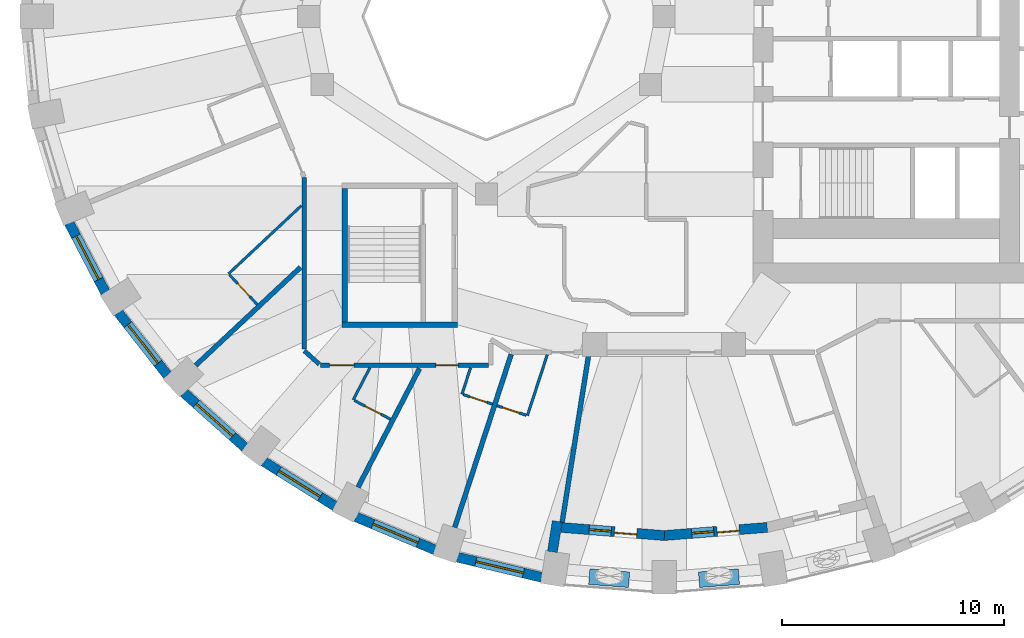
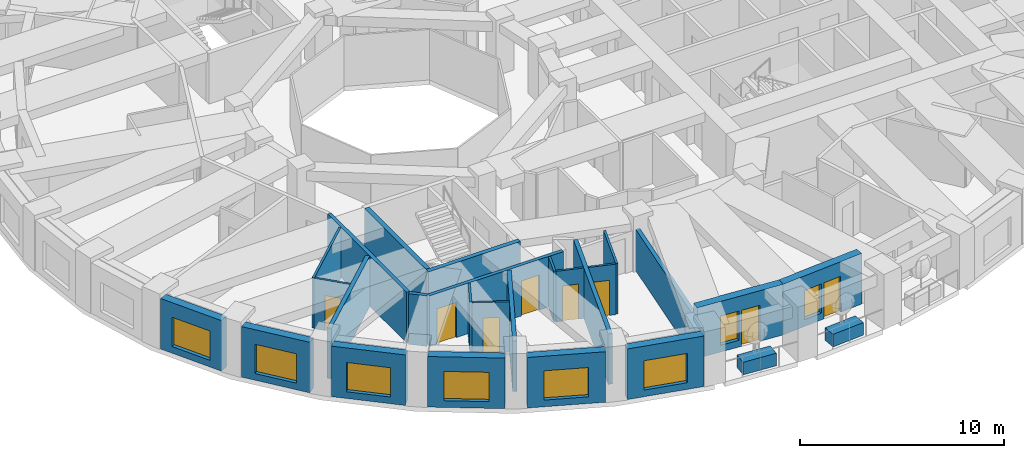
# One storey, part 3 of 13: 28 walls, 8 doors, 8 windows, 16 openings.
"""IFC4 building model written with IfcOpenShell, lengths in metres."""

import ifcopenshell
import ifcopenshell.guid

model = None  # the IFC model being written
_history = None  # IfcOwnerHistory: only IFC2X3 demands one
_inside = {}  # id of a spatial element -> (the spatial element, [elements in it])
_under = {}  # id of a project, library or spatial element -> (it, [spatial elements below it])
_declared = {}  # id of a project -> (the project, [libraries it declares])
_typed = {}  # id of a type object -> (the type object, [elements of that type])
_made_of = {}  # id of a material, layer set ... -> (it, [elements and type objects made of it])


def new_model(schema):
    """Start an empty IFC model of exactly this schema.

    Asked for "IFC4X3", IfcOpenShell would pick the latest addendum, in which some entities
    have other attributes; the version numbers below select the first issue.
    IFC2X3 requires an IfcOwnerHistory on every rooted entity: one is made here for all.
    """
    global model, _history
    if schema == "IFC4X3":
        model = ifcopenshell.file(schema_version=(4, 3, 0, 0))
    else:
        model = ifcopenshell.file(schema=schema)
    _inside.clear()
    _under.clear()
    _declared.clear()
    _typed.clear()
    _made_of.clear()
    _history = None
    if model.schema == "IFC2X3":
        org = make("IfcOrganization", Name="unknown")
        user = make(
            "IfcPersonAndOrganization",
            ThePerson=make("IfcPerson", FamilyName="unknown"),
            TheOrganization=org,
        )
        app = make(
            "IfcApplication",
            ApplicationDeveloper=org,
            Version="unknown",
            ApplicationFullName="unknown",
            ApplicationIdentifier="unknown",
        )
        _history = make(
            "IfcOwnerHistory",
            OwningUser=user,
            OwningApplication=app,
            ChangeAction="ADDED",
            CreationDate=0,
        )
    return model


def make(cls, **values):
    """One entity of the class cls with the attributes given. An attribute that is None is left unset."""
    return model.create_entity(
        cls, **{name: value for name, value in values.items() if value is not None}
    )


def rooted(cls, **values):
    """An entity with a GlobalId (a new one), such as an element, a storey or a relation."""
    return make(cls, GlobalId=ifcopenshell.guid.new(), OwnerHistory=_history, **values)


def si_unit(unit_type, name, prefix=None):
    """IfcSIUnit, for example si_unit("LENGTHUNIT", "METRE", prefix="MILLI")."""
    return make("IfcSIUnit", UnitType=unit_type, Prefix=prefix, Name=name)


def assignment(units):
    """IfcUnitAssignment: the units of a project."""
    return None if units is None else make("IfcUnitAssignment", Units=units)


def point(xyz):
    """IfcCartesianPoint."""
    return None if xyz is None else make("IfcCartesianPoint", Coordinates=xyz)


def direction(xyz):
    """IfcDirection."""
    return None if xyz is None else make("IfcDirection", DirectionRatios=xyz)


def frame(location, z_axis=None, x_axis=None):
    """IfcAxis2Placement3D, a coordinate frame: its origin and axes. An axis left out is left unset."""
    return make(
        "IfcAxis2Placement3D",
        Location=point(location),
        Axis=direction(z_axis),
        RefDirection=direction(x_axis),
    )


def frame_2d(location, x_axis=None):
    """IfcAxis2Placement2D, a coordinate frame in the plane: its origin and x axis."""
    return make(
        "IfcAxis2Placement2D", Location=point(location), RefDirection=direction(x_axis)
    )


def origin():
    """The frame at (0, 0, 0) with its axes left unset."""
    return frame((0.0, 0.0, 0.0))


def place(relative_to, where):
    """IfcLocalPlacement: puts the frame where relative to a parent placement (None: the world)."""
    return make(
        "IfcLocalPlacement", PlacementRelTo=relative_to, RelativePlacement=where
    )


def context(
    kind, dimensions, precision=None, world=None, true_north=None, identifier=None
):
    """IfcGeometricRepresentationContext, for example the 3D "Model" context."""
    return make(
        "IfcGeometricRepresentationContext",
        ContextIdentifier=identifier,
        ContextType=kind,
        CoordinateSpaceDimension=dimensions,
        Precision=precision,
        WorldCoordinateSystem=world,
        TrueNorth=true_north,
    )


def subcontext(parent, identifier, kind, view, scale=None):
    """IfcGeometricRepresentationSubContext, for example "Body" below "Model"."""
    return make(
        "IfcGeometricRepresentationSubContext",
        ContextIdentifier=identifier,
        ContextType=kind,
        ParentContext=parent,
        TargetScale=scale,
        TargetView=view,
    )


def project(units=None, contexts=None):
    """IfcProject with its units and contexts."""
    return rooted(
        "IfcProject",
        Name="project",
        RepresentationContexts=contexts,
        UnitsInContext=assignment(units),
    )


def spatial(cls, under=None, at=None, **own):
    """A site, building, storey or space (cls), placed at a placement, below another one or the project."""
    s = rooted(cls, ObjectPlacement=at, **own)
    if under is not None:
        _under.setdefault(under.id(), (under, []))[1].append(s)
    return s


def profile(cls, at=None, kind="AREA", **sizes):
    """A parametric profile (cls). Its sizes go by their IFC names, for example OverallWidth=200.0."""
    return make(cls, ProfileType=kind, Position=at, **sizes)


def rectangle(**sizes):
    """IfcRectangleProfileDef."""
    return profile("IfcRectangleProfileDef", **sizes)


def extrude(swept, where, along, depth):
    """IfcExtrudedAreaSolid: the profile swept, set in the frame where, extruded along a direction by depth."""
    return make(
        "IfcExtrudedAreaSolid",
        SweptArea=swept,
        Position=where,
        ExtrudedDirection=direction(along),
        Depth=depth,
    )


def shape(context_of_items, identifier, shape_type, items):
    """IfcShapeRepresentation: the items that make up one representation, for example the "Body"."""
    return make(
        "IfcShapeRepresentation",
        ContextOfItems=context_of_items,
        RepresentationIdentifier=identifier,
        RepresentationType=shape_type,
        Items=items,
    )


def material(Name=None, Category=None):
    """IfcMaterial."""
    return make("IfcMaterial", Name=Name, Category=Category)


def layer(
    of_material, thickness, ventilated=None, Name=None, Category=None, Priority=None
):
    """IfcMaterialLayer: one layer of a wall or slab, of a material (None: an air gap)."""
    return make(
        "IfcMaterialLayer",
        Material=of_material,
        LayerThickness=thickness,
        IsVentilated=ventilated,
        Name=Name,
        Category=Category,
        Priority=Priority,
    )


def layer_set(layers, Name=None):
    """IfcMaterialLayerSet."""
    return make("IfcMaterialLayerSet", MaterialLayers=layers, LayerSetName=Name)


def constituent(of_material, Name=None, Category=None, fraction=None):
    """IfcMaterialConstituent: one of the materials an element consists of."""
    return make(
        "IfcMaterialConstituent",
        Name=Name,
        Material=of_material,
        Fraction=fraction,
        Category=Category,
    )


def constituent_set(constituents=None, Name=None):
    """IfcMaterialConstituentSet."""
    return make(
        "IfcMaterialConstituentSet", Name=Name, MaterialConstituents=constituents
    )


def made_of(thing, what):
    """Note that an element or type object is made of a material, layer set ...; save() writes the relation."""
    if what is not None:
        _made_of.setdefault(what.id(), (what, []))[1].append(thing)
    return thing


def type_object(cls, material=None, **own):
    """A type object (cls), such as IfcWallType, which elements share."""
    return made_of(rooted(cls, **own), material)


def element(
    cls,
    number,
    at=None,
    inside=None,
    cuts=None,
    type_object=None,
    material=None,
    context=None,
    identifier="Body",
    shape_type=None,
    held_by="IfcProductDefinitionShape",
    body=None,
    shapes=None,
    **own,
):
    """One element of the class cls, such as IfcWall. Its Tag is "e" and its number.

    at: its placement. inside: the storey or other place that contains it. cuts: it is an
    opening in that element (IfcRelVoidsElement). A single representation is given by context,
    identifier, shape_type and body (its items); several are given by shapes. held_by: the class
    of the entity that holds the representations. save() writes the other relations.
    """
    e = rooted(cls, Tag="e%d" % number, ObjectPlacement=at, **own)
    if body is not None:
        shapes = [shape(context, identifier, shape_type, body)]
    if shapes is not None:
        e.Representation = make(held_by, Representations=shapes)
    if inside is not None:
        _inside.setdefault(inside.id(), (inside, []))[1].append(e)
    if cuts is not None:
        rooted(
            "IfcRelVoidsElement", RelatingBuildingElement=cuts, RelatedOpeningElement=e
        )
    if type_object is not None:
        _typed.setdefault(type_object.id(), (type_object, []))[1].append(e)
    return made_of(e, material)


def fill(opening, filler):
    """IfcRelFillsElement: the door or window that sits in an opening."""
    return rooted(
        "IfcRelFillsElement",
        RelatingOpeningElement=opening,
        RelatedBuildingElement=filler,
    )


def aggregate(whole, parts):
    """IfcRelAggregates: a whole, such as a stair, and the parts it consists of."""
    return rooted("IfcRelAggregates", RelatingObject=whole, RelatedObjects=parts)


def save(model, path):
    """Write the relations noted so far, then the file.

    IfcRelAggregates (storeys below a building ...), IfcRelContainedInSpatialStructure (elements
    in a storey), IfcRelDefinesByType, IfcRelAssociatesMaterial and IfcRelDeclares: one each for
    every whole, place, type object, material and project.
    """
    for whole, parts in _under.values():
        aggregate(whole, parts)
    for where, things in _inside.values():
        rooted(
            "IfcRelContainedInSpatialStructure",
            RelatedElements=things,
            RelatingStructure=where,
        )
    for kind, things in _typed.values():
        rooted("IfcRelDefinesByType", RelatedObjects=things, RelatingType=kind)
    for what, things in _made_of.values():
        rooted("IfcRelAssociatesMaterial", RelatedObjects=things, RelatingMaterial=what)
    for by, libraries in _declared.values():
        rooted("IfcRelDeclares", RelatingContext=by, RelatedDefinitions=libraries)
    model.write(path)


model = new_model("IFC4")

# Units and contexts
model_context = context("Model", 3, precision=1e-05, world=origin(), true_north=direction((0.0, 1.0)))
body_context = subcontext(model_context, "Body", "Model", "MODEL_VIEW")
ifc_project = project(units=[si_unit("LENGTHUNIT", "METRE"), si_unit("AREAUNIT", "SQUARE_METRE"), si_unit("VOLUMEUNIT", "CUBIC_METRE"), si_unit("PLANEANGLEUNIT", "RADIAN"), si_unit("MASSUNIT", "GRAM", prefix="KILO")], contexts=[model_context])

# Site, building, storey
site_placement = place(None, origin())
site = spatial("IfcSite", under=ifc_project, at=site_placement, CompositionType="ELEMENT")
building_placement = place(site_placement, origin())
building = spatial("IfcBuilding", under=site, at=building_placement, Name="Taillehof Tower", CompositionType="ELEMENT")
storey_placement = place(building_placement, frame((0.0, 0.0, 74.5)))
storey = spatial("IfcBuildingStorey", under=building, at=storey_placement, Name="L20", CompositionType="ELEMENT", Elevation=74.5)

# Wall, opening, window
ifc_material_1 = material(Name="Brick masonry", Category="masonry")
ifc_layer_1 = layer(ifc_material_1, 0.449951171875)
ifc_layer_set_1 = layer_set([ifc_layer_1], Name="Brick infill wall 450")
wall_type_1 = type_object("IfcWallType", Name="Brick infill wall 450", PredefinedType="SOLIDWALL", material=ifc_layer_set_1)
wall_1_placement = place(storey_placement, frame((-26.78564453125, -9.30517578125, 0.0), z_axis=(0.0, 0.0, 1.0), x_axis=(0.462492775226, -0.886623050041, 0.0)))
wall_1 = element("IfcWall", 1, at=wall_1_placement, inside=storey, type_object=wall_type_1, Name="Brick wall L20 bay 21", PredefinedType="SOLIDWALL", context=body_context, shape_type="SweptSolid", body=[
    extrude(rectangle(XDim=3.531982421875, YDim=0.449951171875, at=frame_2d((1.76611328125, 0.0))), origin(), (0.0, 0.0, 1.0), 3.02001953125),
])
opening_1_placement = place(wall_1_placement, frame((0.666015625, 0.0, 0.39990234375)))
opening_1 = element("IfcOpeningElement", 2, at=opening_1_placement, cuts=wall_1, Name="Opening W1", PredefinedType="OPENING", context=body_context, shape_type="SweptSolid", body=[
    extrude(rectangle(XDim=2.199951171875, YDim=1.75, at=frame_2d((1.10009765625, 0.875))), frame((0.0, 0.23486328125, 0.0), z_axis=(0.0, -1.0, 0.0), x_axis=(1.0, 0.0, 0.0)), (0.0, 0.0, 1.0), 0.469970703125),
])
ifc_material_2 = material(Name="Aluminium window frame with clear double glazing", Category="aluminium")
window_type_1 = type_object("IfcWindowType", Name="Deep-set window 2200x1750", PartitioningType="SINGLE_PANEL", PredefinedType="WINDOW", material=ifc_material_2)
window_1_placement = place(opening_1_placement, origin())
window_1 = element("IfcWindow", 3, at=window_1_placement, inside=storey, type_object=window_type_1, Name="W1", OverallHeight=1.75, OverallWidth=2.199951171875, PartitioningType="SINGLE_PANEL", PredefinedType="WINDOW", context=body_context, shape_type="SweptSolid", body=[
    extrude(rectangle(XDim=2.199951171875, YDim=1.75, at=frame_2d((1.10009765625, 0.875))), frame((0.0, 0.034912109375, 0.0), z_axis=(0.0, -1.0, 0.0), x_axis=(1.0, 0.0, 0.0)), (0.0, 0.0, 1.0), 0.06005859375),
])
fill(opening_1, window_1)

wall_2_placement = place(storey_placement, frame((-24.57763671875, -13.327880859375, 0.0), z_axis=(0.0, 0.0, 1.0), x_axis=(0.616661975264, -0.787228053529, 0.0)))
wall_2 = element("IfcWall", 4, at=wall_2_placement, inside=storey, type_object=wall_type_1, Name="Brick wall L20 bay 22", PredefinedType="SOLIDWALL", context=body_context, shape_type="SweptSolid", body=[
    extrude(rectangle(XDim=3.60986328125, YDim=0.449951171875, at=frame_2d((1.804931640625, 0.0))), origin(), (0.0, 0.0, 1.0), 3.02001953125),
])
opening_2_placement = place(wall_2_placement, frame((0.704833984375, 0.0, 0.39990234375)))
opening_2 = element("IfcOpeningElement", 5, at=opening_2_placement, cuts=wall_2, Name="Opening W1", PredefinedType="OPENING", context=body_context, shape_type="SweptSolid", body=[
    extrude(rectangle(XDim=2.199951171875, YDim=1.75, at=frame_2d((1.10009765625, 0.875))), frame((0.0, 0.23486328125, 0.0), z_axis=(0.0, -1.0, 0.0), x_axis=(1.0, 0.0, 0.0)), (0.0, 0.0, 1.0), 0.469970703125),
])
window_2_placement = place(opening_2_placement, origin())
window_2 = element("IfcWindow", 6, at=window_2_placement, inside=storey, type_object=window_type_1, Name="W1", OverallHeight=1.75, OverallWidth=2.199951171875, PartitioningType="SINGLE_PANEL", PredefinedType="WINDOW", context=body_context, shape_type="SweptSolid", body=[
    extrude(rectangle(XDim=2.199951171875, YDim=1.75, at=frame_2d((1.10009765625, 0.875))), frame((0.0, 0.034912109375, 0.0), z_axis=(0.0, -1.0, 0.0), x_axis=(1.0, 0.0, 0.0)), (0.0, 0.0, 1.0), 0.06005859375),
])
fill(opening_2, window_2)

wall_3_placement = place(storey_placement, frame((-21.626708984375, -16.943115234375, 0.0), z_axis=(0.0, 0.0, 1.0), x_axis=(0.745526233716, -0.66647628228, 0.0)))
wall_3 = element("IfcWall", 7, at=wall_3_placement, inside=storey, type_object=wall_type_1, Name="Brick wall L20 bay 23", PredefinedType="SOLIDWALL", context=body_context, shape_type="SweptSolid", body=[
    extrude(rectangle(XDim=3.69677734375, YDim=0.449951171875, at=frame_2d((1.848388671875, 0.0))), origin(), (0.0, 0.0, 1.0), 3.02001953125),
])
opening_3_placement = place(wall_3_placement, frame((0.74853515625, 0.0, 0.39990234375)))
opening_3 = element("IfcOpeningElement", 8, at=opening_3_placement, cuts=wall_3, Name="Opening W1", PredefinedType="OPENING", context=body_context, shape_type="SweptSolid", body=[
    extrude(rectangle(XDim=2.199951171875, YDim=1.75, at=frame_2d((1.10009765625, 0.875))), frame((0.0, 0.23486328125, 0.0), z_axis=(0.0, -1.0, 0.0), x_axis=(1.0, 0.0, 0.0)), (0.0, 0.0, 1.0), 0.469970703125),
])
window_3_placement = place(opening_3_placement, origin())
window_3 = element("IfcWindow", 9, at=window_3_placement, inside=storey, type_object=window_type_1, Name="W1", OverallHeight=1.75, OverallWidth=2.199951171875, PartitioningType="SINGLE_PANEL", PredefinedType="WINDOW", context=body_context, shape_type="SweptSolid", body=[
    extrude(rectangle(XDim=2.199951171875, YDim=1.75, at=frame_2d((1.10009765625, 0.875))), frame((0.0, 0.034912109375, 0.0), z_axis=(0.0, -1.0, 0.0), x_axis=(1.0, 0.0, 0.0)), (0.0, 0.0, 1.0), 0.06005859375),
])
fill(opening_3, window_3)

wall_4_placement = place(storey_placement, frame((-18.02294921875, -20.043701171875, 0.0), z_axis=(0.0, 0.0, 1.0), x_axis=(0.847635480093, -0.530579016629, 0.0)))
wall_4 = element("IfcWall", 10, at=wall_4_placement, inside=storey, type_object=wall_type_1, Name="Brick wall L20 bay 24", PredefinedType="SOLIDWALL", context=body_context, shape_type="SweptSolid", body=[
    extrude(rectangle(XDim=3.782470703125, YDim=0.449951171875, at=frame_2d((1.89111328125, 0.0))), origin(), (0.0, 0.0, 1.0), 3.02001953125),
])
opening_4_placement = place(wall_4_placement, frame((0.791259765625, 0.0, 0.39990234375)))
opening_4 = element("IfcOpeningElement", 11, at=opening_4_placement, cuts=wall_4, Name="Opening W1", PredefinedType="OPENING", context=body_context, shape_type="SweptSolid", body=[
    extrude(rectangle(XDim=2.199951171875, YDim=1.75, at=frame_2d((1.10009765625, 0.875))), frame((0.0, 0.23486328125, 0.0), z_axis=(0.0, -1.0, 0.0), x_axis=(1.0, 0.0, 0.0)), (0.0, 0.0, 1.0), 0.469970703125),
])
window_4_placement = place(opening_4_placement, origin())
window_4 = element("IfcWindow", 12, at=window_4_placement, inside=storey, type_object=window_type_1, Name="W1", OverallHeight=1.75, OverallWidth=2.199951171875, PartitioningType="SINGLE_PANEL", PredefinedType="WINDOW", context=body_context, shape_type="SweptSolid", body=[
    extrude(rectangle(XDim=2.199951171875, YDim=1.75, at=frame_2d((1.10009765625, 0.875))), frame((0.0, 0.034912109375, 0.0), z_axis=(0.0, -1.0, 0.0), x_axis=(1.0, 0.0, 0.0)), (0.0, 0.0, 1.0), 0.06005859375),
])
fill(opening_4, window_4)

wall_5_placement = place(storey_placement, frame((-13.875, -22.537353515625, 0.0), z_axis=(0.0, 0.0, 1.0), x_axis=(0.923031964282, -0.384723267966, 0.0)))
wall_5 = element("IfcWall", 13, at=wall_5_placement, inside=storey, type_object=wall_type_1, Name="Brick wall L20 bay 25", PredefinedType="SOLIDWALL", context=body_context, shape_type="SweptSolid", body=[
    extrude(rectangle(XDim=3.8564453125, YDim=0.449951171875, at=frame_2d((1.92822265625, 0.0))), origin(), (0.0, 0.0, 1.0), 3.02001953125),
])
opening_5_placement = place(wall_5_placement, frame((0.828125, 0.0, 0.39990234375)))
opening_5 = element("IfcOpeningElement", 14, at=opening_5_placement, cuts=wall_5, Name="Opening W1", PredefinedType="OPENING", context=body_context, shape_type="SweptSolid", body=[
    extrude(rectangle(XDim=2.199951171875, YDim=1.75, at=frame_2d((1.10009765625, 0.875))), frame((0.0, 0.23486328125, 0.0), z_axis=(0.0, -1.0, 0.0), x_axis=(1.0, 0.0, 0.0)), (0.0, 0.0, 1.0), 0.469970703125),
])
window_5_placement = place(opening_5_placement, origin())
window_5 = element("IfcWindow", 15, at=window_5_placement, inside=storey, type_object=window_type_1, Name="W1", OverallHeight=1.75, OverallWidth=2.199951171875, PartitioningType="SINGLE_PANEL", PredefinedType="WINDOW", context=body_context, shape_type="SweptSolid", body=[
    extrude(rectangle(XDim=2.199951171875, YDim=1.75, at=frame_2d((1.10009765625, 0.875))), frame((0.0, 0.034912109375, 0.0), z_axis=(0.0, -1.0, 0.0), x_axis=(1.0, 0.0, 0.0)), (0.0, 0.0, 1.0), 0.06005859375),
])
fill(opening_5, window_5)

wall_6_placement = place(storey_placement, frame((-9.3076171875, -24.349609375, 0.0), z_axis=(0.0, 0.0, 1.0), x_axis=(0.972496561493, -0.232917233979, 0.0)))
wall_6 = element("IfcWall", 16, at=wall_6_placement, inside=storey, type_object=wall_type_1, Name="Brick wall L20 bay 26", PredefinedType="SOLIDWALL", context=body_context, shape_type="SweptSolid", body=[
    extrude(rectangle(XDim=3.910888671875, YDim=0.449951171875, at=frame_2d((1.95556640625, 0.0))), origin(), (0.0, 0.0, 1.0), 3.02001953125),
])
opening_6_placement = place(wall_6_placement, frame((0.855224609375, 0.0, 0.39990234375)))
opening_6 = element("IfcOpeningElement", 17, at=opening_6_placement, cuts=wall_6, Name="Opening W1", PredefinedType="OPENING", context=body_context, shape_type="SweptSolid", body=[
    extrude(rectangle(XDim=2.199951171875, YDim=1.75, at=frame_2d((1.10009765625, 0.875))), frame((0.0, 0.23486328125, 0.0), z_axis=(0.0, -1.0, 0.0), x_axis=(1.0, 0.0, 0.0)), (0.0, 0.0, 1.0), 0.469970703125),
])
window_6_placement = place(opening_6_placement, origin())
window_6 = element("IfcWindow", 18, at=window_6_placement, inside=storey, type_object=window_type_1, Name="W1", OverallHeight=1.75, OverallWidth=2.199951171875, PartitioningType="SINGLE_PANEL", PredefinedType="WINDOW", context=body_context, shape_type="SweptSolid", body=[
    extrude(rectangle(XDim=2.199951171875, YDim=1.75, at=frame_2d((1.10009765625, 0.875))), frame((0.0, 0.034912109375, 0.0), z_axis=(0.0, -1.0, 0.0), x_axis=(1.0, 0.0, 0.0)), (0.0, 0.0, 1.0), 0.06005859375),
])
fill(opening_6, window_6)

# Wall
wall_7_placement = place(storey_placement, frame((-5.02685546875, -24.108154296875, 0.0), z_axis=(0.0, 0.0, 1.0), x_axis=(0.156133927791, 0.98773589415, 0.0)))
element("IfcWall", 19, at=wall_7_placement, inside=storey, type_object=wall_type_1, Name="Brick reveal L20 pocket 8", PredefinedType="SOLIDWALL", context=body_context, shape_type="SweptSolid", body=[
    extrude(rectangle(XDim=1.39013671875, YDim=0.449951171875, at=frame_2d((0.695068359375, 0.0))), origin(), (0.0, 0.0, 1.0), 2.469970703125),
])

# Wall, openings, door, window
wall_8_placement = place(storey_placement, frame((-4.625732421875, -23.011474609375, 0.0), z_axis=(0.0, 0.0, 1.0), x_axis=(0.996937095772, -0.078207589615, 0.0)))
wall_8 = element("IfcWall", 20, at=wall_8_placement, inside=storey, type_object=wall_type_1, Name="Brick wall L20 pocket bay 27", PredefinedType="SOLIDWALL", context=body_context, shape_type="SweptSolid", body=[
    extrude(rectangle(XDim=4.657470703125, YDim=0.449951171875, at=frame_2d((2.32861328125, 0.0))), origin(), (0.0, 0.0, 1.0), 3.02001953125),
])
opening_7_placement = place(wall_8_placement, frame((1.25390625, 0.0, 0.39990234375)))
opening_7 = element("IfcOpeningElement", 21, at=opening_7_placement, cuts=wall_8, Name="Opening W5", PredefinedType="OPENING", context=body_context, shape_type="SweptSolid", body=[
    extrude(rectangle(XDim=1.0, YDim=1.75, at=frame_2d((0.5, 0.875))), frame((0.0, 0.23486328125, 0.0), z_axis=(0.0, -1.0, 0.0), x_axis=(1.0, 0.0, 0.0)), (0.0, 0.0, 1.0), 0.469970703125),
])
opening_8_placement = place(wall_8_placement, frame((2.40380859375, 0.0, 0.0)))
opening_8 = element("IfcOpeningElement", 22, at=opening_8_placement, cuts=wall_8, Name="Opening D2091", PredefinedType="OPENING", context=body_context, shape_type="SweptSolid", body=[
    extrude(rectangle(XDim=1.0, YDim=2.14990234375, at=frame_2d((0.5, 1.074951171875))), frame((0.0, 0.23486328125, 0.0), z_axis=(0.0, -1.0, 0.0), x_axis=(1.0, 0.0, 0.0)), (0.0, 0.0, 1.0), 0.469970703125),
])
ifc_material_3 = material(Name="Aluminium door frame with clear double glazing", Category="aluminium")
door_type_1 = type_object("IfcDoorType", Name="Balcony door 1000x2150", OperationType="SINGLE_SWING_RIGHT", PredefinedType="DOOR", material=ifc_material_3)
door_1_placement = place(opening_8_placement, frame((1.0, 0.0, 0.0), z_axis=(0.0, 0.0, 1.0), x_axis=(-1.0, 0.0, 0.0)))
door_1 = element("IfcDoor", 23, at=door_1_placement, inside=storey, type_object=door_type_1, Name="Balcony door L20 bay 27", OperationType="SINGLE_SWING_RIGHT", OverallHeight=2.14990234375, OverallWidth=1.0, PredefinedType="DOOR", context=body_context, shape_type="SweptSolid", body=[
    extrude(rectangle(XDim=1.0, YDim=2.14990234375, at=frame_2d((0.5, 1.074951171875))), frame((0.0, 0.0751953125, 0.0), z_axis=(0.0, -1.0, 0.0), x_axis=(1.0, 0.0, 0.0)), (0.0, 0.0, 1.0), 0.050048828125),
])
fill(opening_8, door_1)
ifc_material_4 = material(Name="Aluminium window frame with clear double glazing", Category="aluminium")
window_type_2 = type_object("IfcWindowType", Name="Fixed window 1000x1750", PartitioningType="SINGLE_PANEL", PredefinedType="WINDOW", material=ifc_material_4)
window_7_placement = place(opening_7_placement, origin())
window_7 = element("IfcWindow", 24, at=window_7_placement, inside=storey, type_object=window_type_2, Name="W5", OverallHeight=1.75, OverallWidth=1.0, PartitioningType="SINGLE_PANEL", PredefinedType="WINDOW", context=body_context, shape_type="SweptSolid", body=[
    extrude(rectangle(XDim=1.0, YDim=1.75, at=frame_2d((0.5, 0.875))), frame((0.0, 0.034912109375, 0.0), z_axis=(0.0, -1.0, 0.0), x_axis=(1.0, 0.0, 0.0)), (0.0, 0.0, 1.0), 0.06005859375),
])
fill(opening_7, window_7)

wall_9_placement = place(storey_placement, frame((-0.017578125, -23.375732421875, 0.0), z_axis=(0.0, 0.0, 1.0), x_axis=(0.996935982964, 0.078221773648, 0.0)))
wall_9 = element("IfcWall", 25, at=wall_9_placement, inside=storey, type_object=wall_type_1, Name="Brick wall L20 pocket bay 28", PredefinedType="SOLIDWALL", context=body_context, shape_type="SweptSolid", body=[
    extrude(rectangle(XDim=4.675537109375, YDim=0.449951171875, at=frame_2d((2.337890625, 0.0))), origin(), (0.0, 0.0, 1.0), 3.02001953125),
])
opening_9_placement = place(wall_9_placement, frame((1.2626953125, 0.0, 0.39990234375)))
opening_9 = element("IfcOpeningElement", 26, at=opening_9_placement, cuts=wall_9, Name="Opening W5", PredefinedType="OPENING", context=body_context, shape_type="SweptSolid", body=[
    extrude(rectangle(XDim=1.0, YDim=1.75, at=frame_2d((0.5, 0.875))), frame((0.0, 0.23486328125, 0.0), z_axis=(0.0, -1.0, 0.0), x_axis=(1.0, 0.0, 0.0)), (0.0, 0.0, 1.0), 0.469970703125),
])
opening_10_placement = place(wall_9_placement, frame((2.41259765625, 0.0, 0.0)))
opening_10 = element("IfcOpeningElement", 27, at=opening_10_placement, cuts=wall_9, Name="Opening D2092", PredefinedType="OPENING", context=body_context, shape_type="SweptSolid", body=[
    extrude(rectangle(XDim=1.0, YDim=2.14990234375, at=frame_2d((0.5, 1.074951171875))), frame((0.0, 0.23486328125, 0.0), z_axis=(0.0, -1.0, 0.0), x_axis=(1.0, 0.0, 0.0)), (0.0, 0.0, 1.0), 0.469970703125),
])
door_2_placement = place(opening_10_placement, frame((1.0, 0.0, 0.0), z_axis=(0.0, 0.0, 1.0), x_axis=(-1.0, 0.0, 0.0)))
door_2 = element("IfcDoor", 28, at=door_2_placement, inside=storey, type_object=door_type_1, Name="Balcony door L20 bay 28", OperationType="SINGLE_SWING_LEFT", OverallHeight=2.14990234375, OverallWidth=1.0, PredefinedType="DOOR", context=body_context, shape_type="SweptSolid", body=[
    extrude(rectangle(XDim=1.0, YDim=2.14990234375, at=frame_2d((0.5, 1.074951171875))), frame((0.0, 0.0751953125, 0.0), z_axis=(0.0, -1.0, 0.0), x_axis=(1.0, 0.0, 0.0)), (0.0, 0.0, 1.0), 0.050048828125),
])
fill(opening_10, door_2)
window_8_placement = place(opening_9_placement, origin())
window_8 = element("IfcWindow", 29, at=window_8_placement, inside=storey, type_object=window_type_2, Name="W5", OverallHeight=1.75, OverallWidth=1.0, PartitioningType="SINGLE_PANEL", PredefinedType="WINDOW", context=body_context, shape_type="SweptSolid", body=[
    extrude(rectangle(XDim=1.0, YDim=1.75, at=frame_2d((0.5, 0.875))), frame((0.0, 0.034912109375, 0.0), z_axis=(0.0, -1.0, 0.0), x_axis=(1.0, 0.0, 0.0)), (0.0, 0.0, 1.0), 0.06005859375),
])
fill(opening_9, window_8)

# Wall, openings, doors
ifc_material_5 = material(Name="Gypsum board on steel studs, two layers each side", Category="steel")
ifc_layer_2 = layer(ifc_material_5, 0.199951171875)
ifc_layer_set_2 = layer_set([ifc_layer_2], Name="Compartment wall corridor 200")
wall_type_2 = type_object("IfcWallType", Name="Compartment wall corridor 200", PredefinedType="PARTITIONING", material=ifc_layer_set_2)
wall_10_placement = place(storey_placement, frame((-7.900146484375, -15.699951171875, 0.0), z_axis=(0.0, 0.0, 1.0), x_axis=(-1.0, 0.0, 0.0)))
wall_10 = element("IfcWall", 30, at=wall_10_placement, inside=storey, type_object=wall_type_2, Name="Compartment wall", PredefinedType="PARTITIONING", context=body_context, shape_type="SweptSolid", body=[
    extrude(rectangle(XDim=7.579833984375, YDim=0.199951171875, at=frame_2d((3.7900390625, 0.0))), origin(), (0.0, 0.0, 1.0), 3.02001953125),
])
opening_11_placement = place(wall_10_placement, frame((6.05419921875, 0.0, 0.0)))
opening_11 = element("IfcOpeningElement", 31, at=opening_11_placement, cuts=wall_10, Name="Opening D2054", PredefinedType="OPENING", context=body_context, shape_type="SweptSolid", body=[
    extrude(rectangle(XDim=1.10009765625, YDim=2.10009765625, at=frame_2d((0.550048828125, 1.050048828125))), frame((0.0, 0.10986328125, 0.0), z_axis=(0.0, -1.0, 0.0), x_axis=(1.0, 0.0, 0.0)), (0.0, 0.0, 1.0), 0.219970703125),
])
opening_12_placement = place(wall_10_placement, frame((1.376708984375, 0.0, 0.0)))
opening_12 = element("IfcOpeningElement", 32, at=opening_12_placement, cuts=wall_10, Name="Opening D2056", PredefinedType="OPENING", context=body_context, shape_type="SweptSolid", body=[
    extrude(rectangle(XDim=1.0, YDim=2.10009765625, at=frame_2d((0.5, 1.050048828125))), frame((0.0, 0.10986328125, 0.0), z_axis=(0.0, -1.0, 0.0), x_axis=(1.0, 0.0, 0.0)), (0.0, 0.0, 1.0), 0.219970703125),
])
ifc_material_6 = material(Name="Timber door leaf in steel frame", Category="steel")
door_type_2 = type_object("IfcDoorType", Name="Guest room door EI 30 1000 x 2100", OperationType="SINGLE_SWING_LEFT", PredefinedType="DOOR", material=ifc_material_6)
door_3_placement = place(opening_12_placement, origin())
door_3 = element("IfcDoor", 33, at=door_3_placement, inside=storey, type_object=door_type_2, Name="D2056", OperationType="SINGLE_SWING_LEFT", OverallHeight=2.10009765625, OverallWidth=1.0, PredefinedType="DOOR", context=body_context, shape_type="SweptSolid", body=[
    extrude(rectangle(XDim=1.0, YDim=2.10009765625, at=frame_2d((0.5, 1.050048828125))), frame((0.0, 0.02490234375, 0.0), z_axis=(0.0, -1.0, 0.0), x_axis=(1.0, 0.0, 0.0)), (0.0, 0.0, 1.0), 0.050048828125),
])
fill(opening_12, door_3)
ifc_material_7 = material(Name="Timber door leaf in steel frame", Category="steel")
door_type_3 = type_object("IfcDoorType", Name="Suite entrance door EI 30 1100 x 2100", OperationType="SINGLE_SWING_LEFT", PredefinedType="DOOR", material=ifc_material_7)
door_4_placement = place(opening_11_placement, origin())
door_4 = element("IfcDoor", 34, at=door_4_placement, inside=storey, type_object=door_type_3, Name="D2054", OperationType="SINGLE_SWING_LEFT", OverallHeight=2.10009765625, OverallWidth=1.10009765625, PredefinedType="DOOR", context=body_context, shape_type="SweptSolid", body=[
    extrude(rectangle(XDim=1.10009765625, YDim=2.10009765625, at=frame_2d((0.550048828125, 1.050048828125))), frame((0.0, 0.02490234375, 0.0), z_axis=(0.0, -1.0, 0.0), x_axis=(1.0, 0.0, 0.0)), (0.0, 0.0, 1.0), 0.050048828125),
])
fill(opening_11, door_4)

# Walls
wall_11_placement = place(storey_placement, frame((-15.524658203125, -15.65966796875, 0.0), z_axis=(0.0, 0.0, 1.0), x_axis=(-0.744684787626, 0.667416337138, 0.0)))
element("IfcWall", 35, at=wall_11_placement, inside=storey, type_object=wall_type_2, Name="Compartment wall", PredefinedType="PARTITIONING", context=body_context, shape_type="SweptSolid", body=[
    extrude(rectangle(XDim=0.90673828125, YDim=0.199951171875, at=frame_2d((0.453369140625, 0.0))), origin(), (0.0, 0.0, 1.0), 3.02001953125),
])
wall_12_placement = place(storey_placement, frame((-16.199951171875, -14.974365234375, 0.0), z_axis=(0.0, 0.0, 1.0), x_axis=(0.0, 1.0, 0.0)))
element("IfcWall", 36, at=wall_12_placement, inside=storey, type_object=wall_type_2, Name="Compartment wall", PredefinedType="PARTITIONING", context=body_context, shape_type="SweptSolid", body=[
    extrude(rectangle(XDim=7.716064453125, YDim=0.199951171875, at=frame_2d((3.85791015625, 0.0))), origin(), (0.0, 0.0, 1.0), 3.02001953125),
])
ifc_material_8 = material(Name="Gypsum board on double steel studs with mineral wool", Category="steel")
ifc_layer_3 = layer(ifc_material_8, 0.219970703125)
ifc_layer_set_3 = layer_set([ifc_layer_3], Name="Compartment wall guest room 220")
wall_type_3 = type_object("IfcWallType", Name="Compartment wall guest room 220", PredefinedType="PARTITIONING", material=ifc_layer_set_3)
wall_13_placement = place(storey_placement, frame((-21.09326171875, -15.7177734375, 0.0), z_axis=(0.0, 0.0, 1.0), x_axis=(0.730096357883, 0.68334420917, 0.0)))
element("IfcWall", 37, at=wall_13_placement, inside=storey, type_object=wall_type_3, Name="Compartment wall", PredefinedType="PARTITIONING", context=body_context, shape_type="SweptSolid", body=[
    extrude(rectangle(XDim=6.46484375, YDim=0.219970703125, at=frame_2d((3.232421875, 0.0))), origin(), (0.0, 0.0, 1.0), 3.02001953125),
])
wall_14_placement = place(storey_placement, frame((-13.7802734375, -21.201171875, 0.0), z_axis=(0.0, 0.0, 1.0), x_axis=(0.459689820266, 0.888079539875, 0.0)))
element("IfcWall", 38, at=wall_14_placement, inside=storey, type_object=wall_type_3, Name="Compartment wall", PredefinedType="PARTITIONING", context=body_context, shape_type="SweptSolid", body=[
    extrude(rectangle(XDim=6.021484375, YDim=0.219970703125, at=frame_2d((3.0107421875, 0.0))), origin(), (0.0, 0.0, 1.0), 3.02001953125),
])
wall_15_placement = place(storey_placement, frame((-9.429443359375, -23.01416015625, 0.0), z_axis=(0.0, 0.0, 1.0), x_axis=(0.310248090606, 0.950655627594, 0.0)))
element("IfcWall", 39, at=wall_15_placement, inside=storey, type_object=wall_type_3, Name="Compartment wall", PredefinedType="PARTITIONING", context=body_context, shape_type="SweptSolid", body=[
    extrude(rectangle(XDim=8.202880859375, YDim=0.219970703125, at=frame_2d((4.1015625, 0.0))), origin(), (0.0, 0.0, 1.0), 3.02001953125),
])
wall_16_placement = place(storey_placement, frame((-4.590576171875, -22.78857421875, 0.0), z_axis=(0.0, 0.0, 1.0), x_axis=(0.156151107863, 0.987733178299, 0.0)))
element("IfcWall", 40, at=wall_16_placement, inside=storey, type_object=wall_type_3, Name="Compartment wall", PredefinedType="PARTITIONING", context=body_context, shape_type="SweptSolid", body=[
    extrude(rectangle(XDim=7.64697265625, YDim=0.219970703125, at=frame_2d((3.823486328125, 0.0))), origin(), (0.0, 0.0, 1.0), 2.469970703125),
])
ifc_material_9 = material(Name="Gypsum board on steel studs, moisture resistant", Category="steel")
ifc_layer_4 = layer(ifc_material_9, 0.1201171875)
ifc_layer_set_4 = layer_set([ifc_layer_4], Name="En-suite wall 120")
wall_type_4 = type_object("IfcWallType", Name="En-suite wall 120", PredefinedType="PARTITIONING", material=ifc_layer_set_4)
wall_17_placement = place(storey_placement, frame((-16.329345703125, -8.519775390625, 0.0), z_axis=(0.0, 0.0, 1.0), x_axis=(-0.730102689118, -0.68333744471, 0.0)))
element("IfcWall", 41, at=wall_17_placement, inside=storey, type_object=wall_type_4, Name="En-suite wall", PredefinedType="PARTITIONING", context=body_context, shape_type="SweptSolid", body=[
    extrude(rectangle(XDim=4.494873046875, YDim=0.1201171875, at=frame_2d((2.24755859375, 0.0))), origin(), (0.0, 0.0, 1.0), 3.02001953125),
])
wall_18_placement = place(storey_placement, frame((-13.245849609375, -15.81787109375, 0.0), z_axis=(0.0, 0.0, 1.0), x_axis=(-0.459675202516, -0.888087106196, 0.0)))
element("IfcWall", 42, at=wall_18_placement, inside=storey, type_object=wall_type_4, Name="En-suite wall", PredefinedType="PARTITIONING", context=body_context, shape_type="SweptSolid", body=[
    extrude(rectangle(XDim=1.632080078125, YDim=0.1201171875, at=frame_2d((0.81591796875, 0.0))), origin(), (0.0, 0.0, 1.0), 3.02001953125),
])
wall_19_placement = place(storey_placement, frame((-8.7119140625, -15.819091796875, 0.0), z_axis=(0.0, 0.0, 1.0), x_axis=(-0.310322794195, -0.950631244702, 0.0)))
element("IfcWall", 43, at=wall_19_placement, inside=storey, type_object=wall_type_4, Name="En-suite wall", PredefinedType="PARTITIONING", context=body_context, shape_type="SweptSolid", body=[
    extrude(rectangle(XDim=1.254150390625, YDim=0.1201171875, at=frame_2d((0.626953125, 0.0))), origin(), (0.0, 0.0, 1.0), 3.02001953125),
])
wall_20_placement = place(storey_placement, frame((-5.26025390625, -15.234619140625, 0.0), z_axis=(0.0, 0.0, 1.0), x_axis=(-0.310220453498, -0.950664646567, 0.0)))
element("IfcWall", 44, at=wall_20_placement, inside=storey, type_object=wall_type_4, Name="En-suite wall", PredefinedType="PARTITIONING", context=body_context, shape_type="SweptSolid", body=[
    extrude(rectangle(XDim=2.88037109375, YDim=0.1201171875, at=frame_2d((1.440185546875, 0.0))), origin(), (0.0, 0.0, 1.0), 3.02001953125),
])

# Wall, opening, door
wall_21_placement = place(storey_placement, frame((-19.570068359375, -11.635009765625, 0.0), z_axis=(0.0, 0.0, 1.0), x_axis=(0.683306289544, -0.730131847456, 0.0)))
wall_21 = element("IfcWall", 45, at=wall_21_placement, inside=storey, type_object=wall_type_4, Name="En-suite wall", PredefinedType="PARTITIONING", context=body_context, shape_type="SweptSolid", body=[
    extrude(rectangle(XDim=1.830078125, YDim=0.1201171875, at=frame_2d((0.9150390625, 0.0))), origin(), (0.0, 0.0, 1.0), 3.02001953125),
])
opening_13_placement = place(wall_21_placement, frame((0.540283203125, 0.0, 0.0)))
opening_13 = element("IfcOpeningElement", 46, at=opening_13_placement, cuts=wall_21, Name="Opening D2053", PredefinedType="OPENING", context=body_context, shape_type="SweptSolid", body=[
    extrude(rectangle(XDim=0.800048828125, YDim=2.10009765625, at=frame_2d((0.39990234375, 1.050048828125))), frame((0.0, 0.070068359375, 0.0), z_axis=(0.0, -1.0, 0.0), x_axis=(1.0, 0.0, 0.0)), (0.0, 0.0, 1.0), 0.14013671875),
])
ifc_material_10 = material(Name="Timber door leaf in steel frame", Category="steel")
door_type_4 = type_object("IfcDoorType", Name="En-suite door 800 x 2100", OperationType="SINGLE_SWING_LEFT", PredefinedType="DOOR", material=ifc_material_10)
door_5_placement = place(opening_13_placement, origin())
door_5 = element("IfcDoor", 47, at=door_5_placement, inside=storey, type_object=door_type_4, Name="D2053", OperationType="SINGLE_SWING_LEFT", OverallHeight=2.10009765625, OverallWidth=0.800048828125, PredefinedType="DOOR", context=body_context, shape_type="SweptSolid", body=[
    extrude(rectangle(XDim=0.800048828125, YDim=2.10009765625, at=frame_2d((0.39990234375, 1.050048828125))), frame((0.0, 0.02490234375, 0.0), z_axis=(0.0, -1.0, 0.0), x_axis=(1.0, 0.0, 0.0)), (0.0, 0.0, 1.0), 0.050048828125),
])
fill(opening_13, door_5)

wall_22_placement = place(storey_placement, frame((-13.94287109375, -17.294921875, 0.0), z_axis=(0.0, 0.0, 1.0), x_axis=(0.888151937069, -0.459549928387, 0.0)))
wall_22 = element("IfcWall", 48, at=wall_22_placement, inside=storey, type_object=wall_type_4, Name="En-suite wall", PredefinedType="PARTITIONING", context=body_context, shape_type="SweptSolid", body=[
    extrude(rectangle(XDim=1.830078125, YDim=0.1201171875, at=frame_2d((0.9150390625, 0.0))), origin(), (0.0, 0.0, 1.0), 3.02001953125),
])
opening_14_placement = place(wall_22_placement, frame((0.5400390625, 0.0, 0.0)))
opening_14 = element("IfcOpeningElement", 49, at=opening_14_placement, cuts=wall_22, Name="Opening D2055", PredefinedType="OPENING", context=body_context, shape_type="SweptSolid", body=[
    extrude(rectangle(XDim=0.800048828125, YDim=2.10009765625, at=frame_2d((0.39990234375, 1.050048828125))), frame((0.0, 0.070068359375, 0.0), z_axis=(0.0, -1.0, 0.0), x_axis=(1.0, 0.0, 0.0)), (0.0, 0.0, 1.0), 0.14013671875),
])
door_6_placement = place(opening_14_placement, origin())
door_6 = element("IfcDoor", 50, at=door_6_placement, inside=storey, type_object=door_type_4, Name="D2055", OperationType="SINGLE_SWING_LEFT", OverallHeight=2.10009765625, OverallWidth=0.800048828125, PredefinedType="DOOR", context=body_context, shape_type="SweptSolid", body=[
    extrude(rectangle(XDim=0.800048828125, YDim=2.10009765625, at=frame_2d((0.39990234375, 1.050048828125))), frame((0.0, 0.02490234375, 0.0), z_axis=(0.0, -1.0, 0.0), x_axis=(1.0, 0.0, 0.0)), (0.0, 0.0, 1.0), 0.050048828125),
])
fill(opening_14, door_6)

wall_23_placement = place(storey_placement, frame((-9.0439453125, -17.02978515625, 0.0), z_axis=(0.0, 0.0, 1.0), x_axis=(0.950645927723, -0.31027781117, 0.0)))
wall_23 = element("IfcWall", 51, at=wall_23_placement, inside=storey, type_object=wall_type_4, Name="En-suite wall", PredefinedType="PARTITIONING", context=body_context, shape_type="SweptSolid", body=[
    extrude(rectangle(XDim=1.380126953125, YDim=0.1201171875, at=frame_2d((0.68994140625, 0.0))), origin(), (0.0, 0.0, 1.0), 3.02001953125),
])
opening_15_placement = place(wall_23_placement, frame((0.31494140625, 0.0, 0.0)))
opening_15 = element("IfcOpeningElement", 52, at=opening_15_placement, cuts=wall_23, Name="Opening D2057", PredefinedType="OPENING", context=body_context, shape_type="SweptSolid", body=[
    extrude(rectangle(XDim=0.800048828125, YDim=2.10009765625, at=frame_2d((0.39990234375, 1.050048828125))), frame((0.0, 0.070068359375, 0.0), z_axis=(0.0, -1.0, 0.0), x_axis=(1.0, 0.0, 0.0)), (0.0, 0.0, 1.0), 0.14013671875),
])
door_7_placement = place(opening_15_placement, origin())
door_7 = element("IfcDoor", 53, at=door_7_placement, inside=storey, type_object=door_type_4, Name="D2057", OperationType="SINGLE_SWING_LEFT", OverallHeight=2.10009765625, OverallWidth=0.800048828125, PredefinedType="DOOR", context=body_context, shape_type="SweptSolid", body=[
    extrude(rectangle(XDim=0.800048828125, YDim=2.10009765625, at=frame_2d((0.39990234375, 1.050048828125))), frame((0.0, 0.02490234375, 0.0), z_axis=(0.0, -1.0, 0.0), x_axis=(1.0, 0.0, 0.0)), (0.0, 0.0, 1.0), 0.050048828125),
])
fill(opening_15, door_7)

wall_24_placement = place(storey_placement, frame((-6.2109375, -17.95458984375, 0.0), z_axis=(0.0, 0.0, 1.0), x_axis=(-0.950645927723, 0.31027781117, 0.0)))
wall_24 = element("IfcWall", 54, at=wall_24_placement, inside=storey, type_object=wall_type_4, Name="En-suite wall", PredefinedType="PARTITIONING", context=body_context, shape_type="SweptSolid", body=[
    extrude(rectangle(XDim=1.380126953125, YDim=0.1201171875, at=frame_2d((0.68994140625, 0.0))), origin(), (0.0, 0.0, 1.0), 3.02001953125),
])
opening_16_placement = place(wall_24_placement, frame((0.315185546875, 0.0, 0.0)))
opening_16 = element("IfcOpeningElement", 55, at=opening_16_placement, cuts=wall_24, Name="Opening D2059", PredefinedType="OPENING", context=body_context, shape_type="SweptSolid", body=[
    extrude(rectangle(XDim=0.800048828125, YDim=2.10009765625, at=frame_2d((0.39990234375, 1.050048828125))), frame((0.0, 0.070068359375, 0.0), z_axis=(0.0, -1.0, 0.0), x_axis=(1.0, 0.0, 0.0)), (0.0, 0.0, 1.0), 0.14013671875),
])
door_8_placement = place(opening_16_placement, origin())
door_8 = element("IfcDoor", 56, at=door_8_placement, inside=storey, type_object=door_type_4, Name="D2059", OperationType="SINGLE_SWING_RIGHT", OverallHeight=2.10009765625, OverallWidth=0.800048828125, PredefinedType="DOOR", context=body_context, shape_type="SweptSolid", body=[
    extrude(rectangle(XDim=0.800048828125, YDim=2.10009765625, at=frame_2d((0.39990234375, 1.050048828125))), frame((0.0, 0.02490234375, 0.0), z_axis=(0.0, -1.0, 0.0), x_axis=(1.0, 0.0, 0.0)), (0.0, 0.0, 1.0), 0.050048828125),
])
fill(opening_16, door_8)

# Walls
ifc_material_11 = material(Name="Concrete C30/37 precast", Category="concrete")
ifc_constituent_1 = constituent(ifc_material_11, Name="Structure", Category="concrete")
ifc_material_12 = material(Name="Insulated lining")
ifc_constituent_2 = constituent(ifc_material_12, Name="Lining")
ifc_constituent_set = constituent_set(constituents=[ifc_constituent_1, ifc_constituent_2], Name="Planter trough 700x750")
wall_type_5 = type_object("IfcWallType", Name="Planter trough 700x750", PredefinedType="USERDEFINED", material=ifc_constituent_set)
for number, where, z_axis, x_axis, name in (
    (57, (-3.368896484375, -25.22509765625, 0.0), (0.0, 0.0, 1.0), (0.996965267018, -0.077847648384, 0.0), "Planter L20 bay 27"),
    (58, (1.57421875, -25.365234375, 0.0), (0.0, 0.0, 1.0), (0.996965267018, 0.077847648384, 0.0), "Planter L20 bay 28"),
):
    element("IfcWall", number, at=place(storey_placement, frame(where, z_axis=z_axis, x_axis=x_axis)), inside=storey, type_object=wall_type_5, Name=name, ObjectType="PLANTER", PredefinedType="USERDEFINED", context=body_context, shape_type="SweptSolid", body=[
        extrude(rectangle(XDim=1.800048828125, YDim=0.699951171875, at=frame_2d((0.89990234375, 0.0))), origin(), (0.0, 0.0, 1.0), 0.75),
    ])
ifc_material_13 = material(Name="Concrete C50/60", Category="concrete")
ifc_layer_5 = layer(ifc_material_13, 0.25)
ifc_layer_set_5 = layer_set([ifc_layer_5], Name="Stair wall C50/60 250")
wall_type_6 = type_object("IfcWallType", Name="Stair wall C50/60 250", PredefinedType="SHEAR", material=ifc_layer_set_5)
wall_25_placement = place(storey_placement, frame((-14.375, -13.75, -0.280029296875), z_axis=(0.0, 0.0, 1.0), x_axis=(0.0, 1.0, 0.0)))
element("IfcWall", 59, at=wall_25_placement, inside=storey, type_object=wall_type_6, Name="Stair wall SC", PredefinedType="SHEAR", context=body_context, shape_type="SweptSolid", body=[
    extrude(rectangle(XDim=6.0, YDim=0.25, at=frame_2d((3.0, 0.0))), origin(), (0.0, 0.0, 1.0), 3.300048828125),
])
wall_26_placement = place(storey_placement, frame((-14.5, -13.875, -0.280029296875), z_axis=(0.0, 0.0, 1.0), x_axis=(1.0, 0.0, 0.0)))
element("IfcWall", 60, at=wall_26_placement, inside=storey, type_object=wall_type_6, Name="Stair wall SC", PredefinedType="SHEAR", context=body_context, shape_type="SweptSolid", body=[
    extrude(rectangle(XDim=5.199951171875, YDim=0.25, at=frame_2d((2.60009765625, 0.0))), origin(), (0.0, 0.0, 1.0), 3.300048828125),
])

save(model, "model.ifc")
